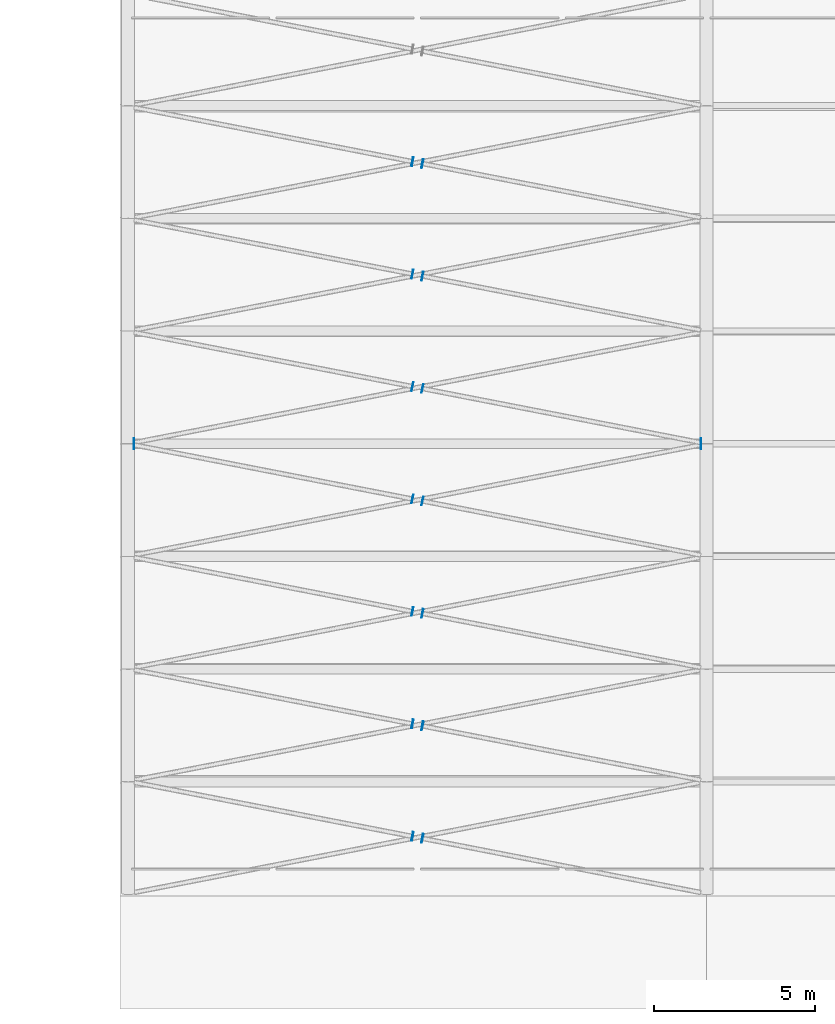
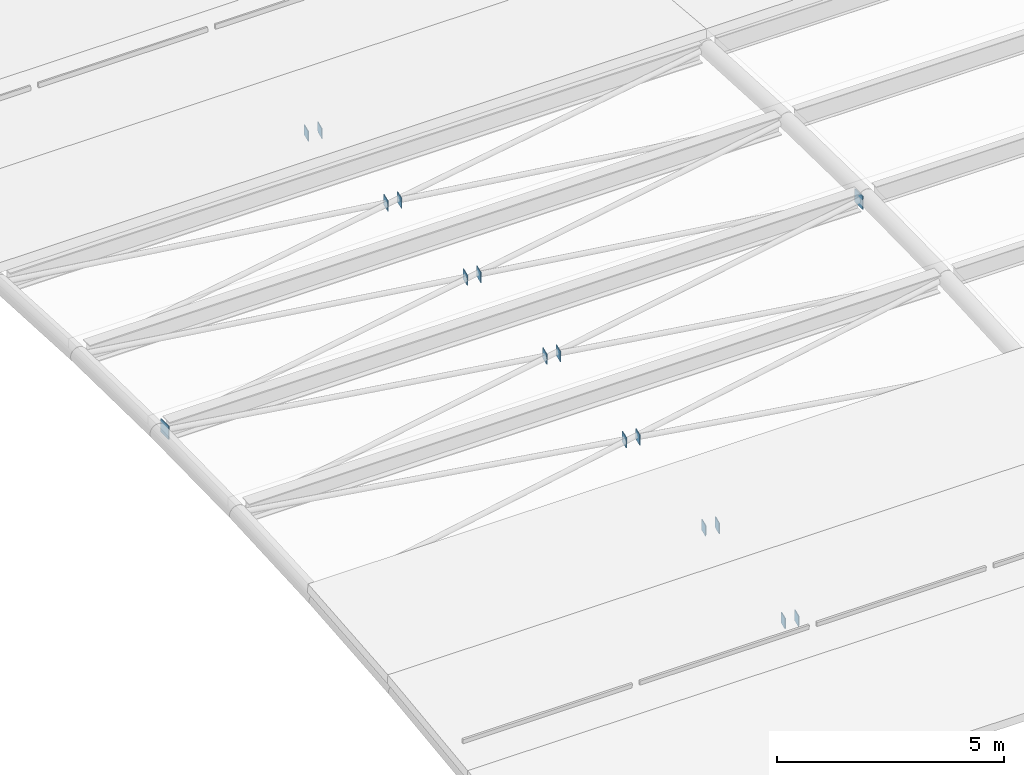
# One storey, part 35 of 41: 16 discrete accessories.
"""IFC4 building model written with IfcOpenShell, lengths in metres."""

from ifc_helpers import new_model, si_unit, direction, frame, origin, origin_2d, place, context, subcontext, project, spatial, rectangle, extrude, material, layer, layer_set, type_object, element, save


model = new_model("IFC4")

# Units and contexts
model_context = context("Model", 3, precision=1e-05, world=origin(), true_north=direction((0.0, 1.0)))
body_context = subcontext(model_context, "Body", "Model", "MODEL_VIEW")
ifc_project = project(units=[si_unit("LENGTHUNIT", "METRE"), si_unit("AREAUNIT", "SQUARE_METRE"), si_unit("VOLUMEUNIT", "CUBIC_METRE"), si_unit("PLANEANGLEUNIT", "RADIAN"), si_unit("MASSUNIT", "GRAM", prefix="KILO")], contexts=[model_context])

# Site, building, storey
site_placement = place(None, origin())
site = spatial("IfcSite", under=ifc_project, at=site_placement, CompositionType="ELEMENT")
building_placement = place(site_placement, origin())
building = spatial("IfcBuilding", under=site, at=building_placement, Name="Okhra Congress Centre", CompositionType="ELEMENT")
storey_placement = place(building_placement, frame((0.0, 0.0, 21.60009765625)))
storey = spatial("IfcBuildingStorey", under=building, at=storey_placement, Name="ROOF", CompositionType="ELEMENT", Elevation=21.60009765625)

# Discrete accessories
ifc_material = material(Name="Steel S355J2", Category="steel")
ifc_layer = layer(ifc_material, 0.02001953125)
ifc_layer_set = layer_set([ifc_layer], Name="Brace end connection plate 20 mm S355")
discrete_accessory_type = type_object("IfcDiscreteAccessoryType", Name="Brace end connection plate 20 mm S355", PredefinedType="BRACKET", material=ifc_layer_set)
for number, where, z_axis, x_axis, name in (
    (1, (37.1640625, 161.718017578125, 0.41552734375), (-0.980756046085, 0.19372958935, 0.024216198669), (-0.193786418213, -0.981043742203, 0.0), "Brace end connection plate"),
    (2, (36.8359375, 161.781982421875, 0.423583984375), (0.980756046085, -0.19372958935, -0.024216198669), (0.193786418213, 0.981043742203, 0.0), "Brace end connection plate"),
):
    element("IfcDiscreteAccessory", number, at=place(storey_placement, frame(where, z_axis=z_axis, x_axis=x_axis)), inside=storey, type_object=discrete_accessory_type, Name=name, PredefinedType="BRACKET", context=body_context, shape_type="SweptSolid", body=[
        extrude(rectangle(XDim=0.279052734375, YDim=0.279052734375, at=origin_2d()), origin(), (0.0, 0.0, 1.0), 0.020263671875),
    ])
for number, where, z_axis, x_axis, name in (
    (3, (37.16455078125, 165.218017578125, 0.7919921875), (-0.980286162792, 0.196057232558, 0.02450715407), (-0.196116135138, -0.980580675691, 0.0), "Brace end connection plate"),
    (4, (36.83544921875, 165.281982421875, 0.7978515625), (0.980286162792, -0.196057232558, -0.02450715407), (0.196116135138, 0.980580675691, 0.0), "Brace end connection plate"),
):
    element("IfcDiscreteAccessory", number, at=place(storey_placement, frame(where, z_axis=z_axis, x_axis=x_axis)), inside=storey, type_object=discrete_accessory_type, Name=name, PredefinedType="BRACKET", context=body_context, shape_type="SweptSolid", body=[
        extrude(rectangle(XDim=0.279052734375, YDim=0.279052734375, at=origin_2d()), origin(), (0.0, 0.0, 1.0), 0.02001953125),
    ])
for number, where, z_axis, x_axis, name in (
    (5, (37.1650390625, 168.718017578125, 1.042724609375), (-0.982872186934, 0.18428853505, 0.0), (-0.18428853505, -0.982872186934, 0.0), "Brace end connection plate"),
    (6, (36.8349609375, 168.781982421875, 1.046142578125), (0.982798016298, -0.184274628056, -0.012284975204), (0.18428853505, 0.982872186934, 0.0), "Brace end connection plate"),
):
    element("IfcDiscreteAccessory", number, at=place(storey_placement, frame(where, z_axis=z_axis, x_axis=x_axis)), inside=storey, type_object=discrete_accessory_type, Name=name, PredefinedType="BRACKET", context=body_context, shape_type="SweptSolid", body=[
        extrude(rectangle(XDim=0.279052734375, YDim=0.279052734375, at=origin_2d()), origin(), (0.0, 0.0, 1.0), 0.019775390625),
    ])
discrete_accessory_1_placement = place(storey_placement, frame((45.814453125, 174.0, 1.19921875), z_axis=(1.0, 0.0, 0.0), x_axis=(0.0, 1.0, 0.0)))
element("IfcDiscreteAccessory", 7, at=discrete_accessory_1_placement, inside=storey, type_object=discrete_accessory_type, Name="Brace end connection plate", PredefinedType="BRACKET", context=body_context, shape_type="SweptSolid", body=[
    extrude(rectangle(XDim=0.35205078125, YDim=0.35205078125, at=origin_2d()), origin(), (0.0, 0.0, 1.0), 0.02001953125),
])
for number, where, z_axis, x_axis, name in (
    (8, (37.165283203125, 172.2177734375, 1.168212890625), (-0.980580675691, 0.196116135138, 0.0), (-0.196116135138, -0.980580675691, 0.0), "Brace end connection plate"),
    (9, (36.834716796875, 172.2822265625, 1.16943359375), (0.980580675691, -0.196116135138, 0.0), (0.196116135138, 0.980580675691, 0.0), "Brace end connection plate"),
):
    element("IfcDiscreteAccessory", number, at=place(storey_placement, frame(where, z_axis=z_axis, x_axis=x_axis)), inside=storey, type_object=discrete_accessory_type, Name=name, PredefinedType="BRACKET", context=body_context, shape_type="SweptSolid", body=[
        extrude(rectangle(XDim=0.279052734375, YDim=0.279052734375, at=origin_2d()), origin(), (0.0, 0.0, 1.0), 0.02001953125),
    ])
discrete_accessory_2_placement = place(storey_placement, frame((28.185546875, 174.0, 1.19921875), z_axis=(-1.0, 0.0, 0.0), x_axis=(0.0, -1.0, 0.0)))
element("IfcDiscreteAccessory", 10, at=discrete_accessory_2_placement, inside=storey, type_object=discrete_accessory_type, Name="Brace end connection plate", PredefinedType="BRACKET", context=body_context, shape_type="SweptSolid", body=[
    extrude(rectangle(XDim=0.35205078125, YDim=0.35205078125, at=origin_2d()), origin(), (0.0, 0.0, 1.0), 0.02001953125),
])
for number, where, z_axis, x_axis, name in (
    (11, (37.165283203125, 175.7177734375, 1.16943359375), (-0.980580675691, 0.196116135138, 0.0), (-0.196116135138, -0.980580675691, 0.0), "Brace end connection plate"),
    (12, (36.834716796875, 175.7822265625, 1.168212890625), (0.980580675691, -0.196116135138, 0.0), (0.196116135138, 0.980580675691, 0.0), "Brace end connection plate"),
):
    element("IfcDiscreteAccessory", number, at=place(storey_placement, frame(where, z_axis=z_axis, x_axis=x_axis)), inside=storey, type_object=discrete_accessory_type, Name=name, PredefinedType="BRACKET", context=body_context, shape_type="SweptSolid", body=[
        extrude(rectangle(XDim=0.279052734375, YDim=0.279052734375, at=origin_2d()), origin(), (0.0, 0.0, 1.0), 0.02001953125),
    ])
for number, where, z_axis, x_axis, name in (
    (13, (37.1650390625, 179.218017578125, 1.046142578125), (-0.982798016298, 0.184274628056, -0.012284975204), (-0.18428853505, -0.982872186934, 0.0), "Brace end connection plate"),
    (14, (36.8349609375, 179.281982421875, 1.042724609375), (0.982872186934, -0.18428853505, 0.0), (0.18428853505, 0.982872186934, 0.0), "Brace end connection plate"),
):
    element("IfcDiscreteAccessory", number, at=place(storey_placement, frame(where, z_axis=z_axis, x_axis=x_axis)), inside=storey, type_object=discrete_accessory_type, Name=name, PredefinedType="BRACKET", context=body_context, shape_type="SweptSolid", body=[
        extrude(rectangle(XDim=0.279052734375, YDim=0.279052734375, at=origin_2d()), origin(), (0.0, 0.0, 1.0), 0.019775390625),
    ])
for number, where, z_axis, x_axis, name in (
    (15, (37.16455078125, 182.718017578125, 0.7978515625), (-0.980286162792, 0.196057232558, -0.02450715407), (-0.196116135138, -0.980580675691, 0.0), "Brace end connection plate"),
    (16, (36.83544921875, 182.781982421875, 0.7919921875), (0.980286162792, -0.196057232558, 0.02450715407), (0.196116135138, 0.980580675691, 0.0), "Brace end connection plate"),
):
    element("IfcDiscreteAccessory", number, at=place(storey_placement, frame(where, z_axis=z_axis, x_axis=x_axis)), inside=storey, type_object=discrete_accessory_type, Name=name, PredefinedType="BRACKET", context=body_context, shape_type="SweptSolid", body=[
        extrude(rectangle(XDim=0.279052734375, YDim=0.279052734375, at=origin_2d()), origin(), (0.0, 0.0, 1.0), 0.02001953125),
    ])

save(model, "model.ifc")
